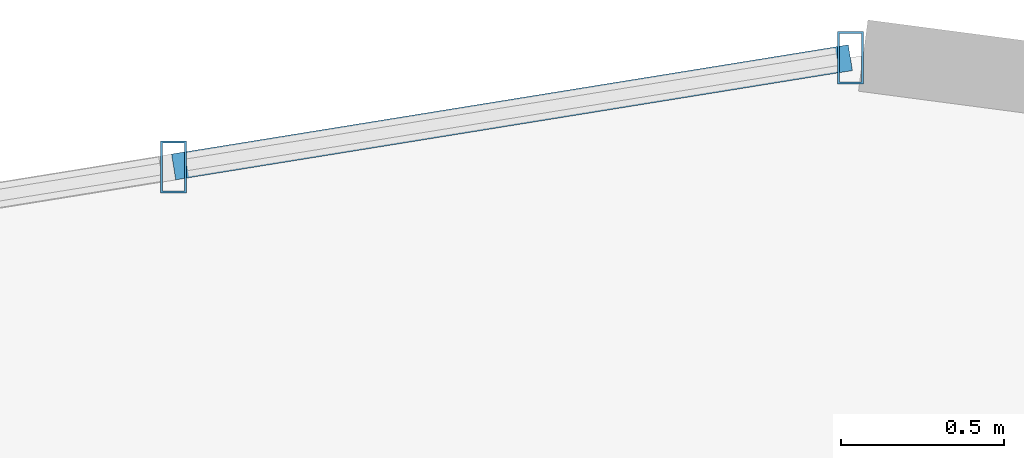
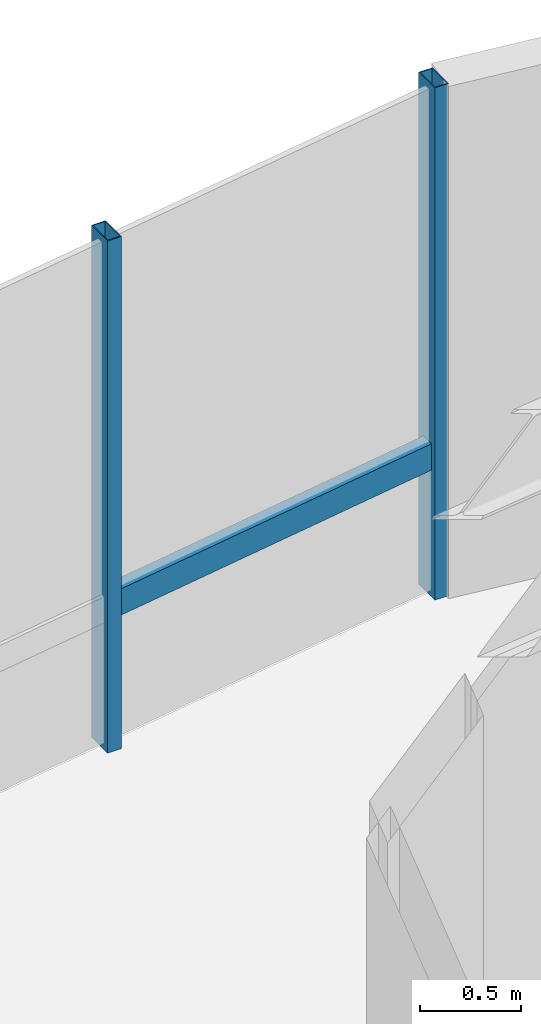
# One storey, part 16 of 22: 3 members, 1 element without a shape of its own.
"""IFC4 building model written with IfcOpenShell, lengths in metres."""

from ifc_helpers import new_model, si_unit, direction, frame, origin, origin_2d, place, context, subcontext, project, spatial, hollow_rectangle, extrude, source, transform, mapped, material, material_profile, profile_set, type_object, element, aggregate, save


model = new_model("IFC4")

# Units and contexts
model_context = context("Model", 3, precision=1e-05, world=origin(), true_north=direction((0.0, 1.0)))
body_context = subcontext(model_context, "Body", "Model", "MODEL_VIEW")
ifc_project = project(units=[si_unit("LENGTHUNIT", "METRE"), si_unit("AREAUNIT", "SQUARE_METRE"), si_unit("VOLUMEUNIT", "CUBIC_METRE"), si_unit("PLANEANGLEUNIT", "RADIAN"), si_unit("MASSUNIT", "GRAM", prefix="KILO")], contexts=[model_context])

# Site, building, storey
site_placement = place(None, origin())
site = spatial("IfcSite", under=ifc_project, at=site_placement, CompositionType="ELEMENT")
building_placement = place(site_placement, origin())
building = spatial("IfcBuilding", under=site, at=building_placement, Name="Sahyath Konkavel Grand Hotel", CompositionType="ELEMENT")
storey_placement = place(building_placement, frame((0.0, 0.0, 237.800048828125)))
storey = spatial("IfcBuildingStorey", under=building, at=storey_placement, Name="L66", CompositionType="ELEMENT", Elevation=237.800048828125)

# Curtain wall, members
ifc_material_1 = material(Name="Anodised Bronze Aluminium & Low-E Glazing", Category="aluminium")
curtain_wall_type = type_object("IfcCurtainWallType", Name="CW-ZONE4", PredefinedType="NOTDEFINED", material=ifc_material_1)
curtain_wall_placement = place(storey_placement, origin())
curtain_wall = element("IfcCurtainWall", 1, at=curtain_wall_placement, inside=storey, type_object=curtain_wall_type, Name="L66 Unitised Curtain Wall F12", PredefinedType="NOTDEFINED")
ifc_material_2 = material(Name="Anodised Bronze Aluminium", Category="aluminium")
ifc_material_profile_1 = material_profile(ifc_material_2, hollow_rectangle(XDim=0.080078125, YDim=0.159912109375, WallThickness=0.006103515625, at=origin_2d()), Name="RHS 160x80x6")
ifc_profile_set_1 = profile_set([ifc_material_profile_1], Name="Anodised Bronze Aluminium")
member_type_1 = type_object("IfcMemberType", Name="CW-MUL-160", PredefinedType="MULLION", material=ifc_profile_set_1)
shared_shape_1 = source(origin(), body_context, "Body", "SweptSolid", [
    extrude(hollow_rectangle(XDim=0.080078125, YDim=0.159912109375, WallThickness=0.006103515625, at=origin_2d()), origin(), (0.0, 0.0, 1.0), 3.10986328125),
])
member_1_placement = place(storey_placement, frame((1.10302734375, 20.23583984375, 0.0), z_axis=(0.0, 0.0, 1.0), x_axis=(1.0, 0.0, 0.0)))
member_1 = element("IfcMember", 2, at=member_1_placement, type_object=member_type_1, Name="L66 Curtain Wall Mullion F12-0", PredefinedType="MULLION", context=body_context, shape_type="MappedRepresentation", body=[
    mapped(shared_shape_1, transform((0.0, 0.0, 0.0), scale=1.0)),
])
member_2_placement = place(storey_placement, frame((-0.9697265625, 19.901123046875, 0.0), z_axis=(0.0, 0.0, 1.0), x_axis=(1.0, 0.0, 0.0)))
member_2 = element("IfcMember", 3, at=member_2_placement, type_object=member_type_1, Name="L66 Curtain Wall Mullion F12-1", PredefinedType="MULLION", context=body_context, shape_type="MappedRepresentation", body=[
    mapped(shared_shape_1, transform((0.0, 0.0, 0.0), scale=1.0)),
])
ifc_material_profile_2 = material_profile(ifc_material_2, hollow_rectangle(XDim=0.080078125, YDim=0.159912109375, WallThickness=0.006103515625, at=origin_2d()), Name="RHS 160x80x6")
ifc_profile_set_2 = profile_set([ifc_material_profile_2], Name="Anodised Bronze Aluminium")
member_type_2 = type_object("IfcMemberType", Name="CW-TRN-160", PredefinedType="USERDEFINED", material=ifc_profile_set_2)
shared_shape_2 = source(origin(), body_context, "Body", "SweptSolid", [
    extrude(hollow_rectangle(XDim=0.080078125, YDim=0.159912109375, WallThickness=0.006103515625, at=origin_2d()), origin(), (0.0, 0.0, 1.0), 2.099609375),
])
member_3_placement = place(storey_placement, frame((1.10302734375, 20.23583984375, 0.849853515625), z_axis=(-0.987211030881, -0.159418883785, 0.0), x_axis=(0.159418883785, -0.987211030881, 0.0)))
member_3 = element("IfcMember", 4, at=member_3_placement, type_object=member_type_2, Name="L66 Curtain Wall Transom F12-0-spandrel", ObjectType="TRANSOM", PredefinedType="USERDEFINED", context=body_context, shape_type="MappedRepresentation", body=[
    mapped(shared_shape_2, transform((0.0, 0.0, 0.0), scale=1.0)),
])
aggregate(curtain_wall, [member_1, member_2, member_3])

save(model, "model.ifc")
